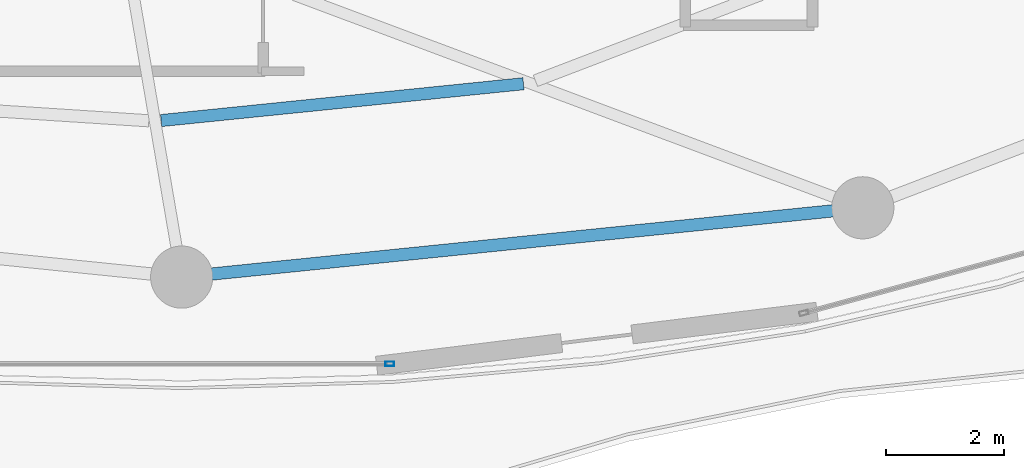
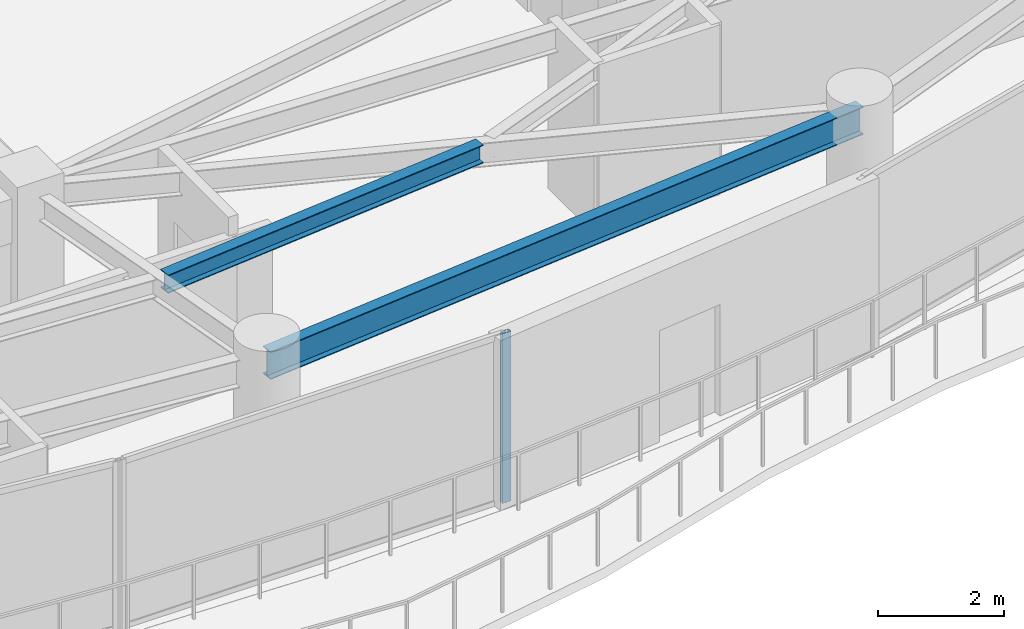
# One storey, part 10 of 31: 2 beams, 1 member, 1 element without a shape of its own.
"""IFC4 building model written with IfcOpenShell, lengths in metres."""

from ifc_helpers import new_model, si_unit, direction, frame, origin, origin_2d, place, context, subcontext, project, spatial, hollow_rectangle, i_section, extrude, material, layer, layer_set, material_profile, profile_set, type_object, element, aggregate, save


model = new_model("IFC4")

# Units and contexts
model_context = context("Model", 3, precision=1e-05, world=origin(), true_north=direction((0.0, 1.0)))
body_context = subcontext(model_context, "Body", "Model", "MODEL_VIEW")
ifc_project = project(units=[si_unit("LENGTHUNIT", "METRE"), si_unit("AREAUNIT", "SQUARE_METRE"), si_unit("VOLUMEUNIT", "CUBIC_METRE"), si_unit("PLANEANGLEUNIT", "RADIAN"), si_unit("MASSUNIT", "GRAM", prefix="KILO")], contexts=[model_context])

# Site, building, storey
site_placement = place(None, origin())
site = spatial("IfcSite", under=ifc_project, at=site_placement, CompositionType="ELEMENT")
building_placement = place(site_placement, origin())
building = spatial("IfcBuilding", under=site, at=building_placement, Name="Kazevale Care Tower and Concert Hall", CompositionType="ELEMENT")
storey_placement = place(building_placement, frame((0.0, 0.0, 187.199951171875)))
storey = spatial("IfcBuildingStorey", under=building, at=storey_placement, Name="L49", CompositionType="ELEMENT", Elevation=187.199951171875)

# Curtain wall, member
ifc_material_1 = material(Name="Aluminium 6063-T6 and Low-E Glass", Category="aluminium")
ifc_layer = layer(ifc_material_1, 0.179931640625)
ifc_layer_set = layer_set([ifc_layer], Name="Aluminium 6063-T6 and Low-E Glass")
curtain_wall_type = type_object("IfcCurtainWallType", Name="Sheltered Concave Balcony Curtain Wall CW-5", PredefinedType="NOTDEFINED", material=ifc_layer_set)
curtain_wall_placement = place(storey_placement, origin())
curtain_wall = element("IfcCurtainWall", 1, at=curtain_wall_placement, inside=storey, type_object=curtain_wall_type, Name="cw:L49:f06", PredefinedType="NOTDEFINED")
ifc_material_2 = material(Name="Aluminium 6063-T6", Category="aluminium")
ifc_material_profile_1 = material_profile(ifc_material_2, hollow_rectangle(XDim=0.074951171875, YDim=0.14990234375, WallThickness=0.00390625, at=origin_2d()), Name="ALU75x150x4")
ifc_profile_set_1 = profile_set([ifc_material_profile_1], Name="Aluminium 6063-T6")
member_type = type_object("IfcMemberType", Name="CW-5 Mullion ALU75x150x4", PredefinedType="MULLION", material=ifc_profile_set_1)
member_placement = place(storey_placement, frame((48.512451171875, 16.284912109375, 0.0), z_axis=(0.0, 0.0, 1.0), x_axis=(0.0, -1.0, 0.0)))
member = element("IfcMember", 2, at=member_placement, type_object=member_type, Name="CW-5 mullion 1", PredefinedType="MULLION", context=body_context, shape_type="SweptSolid", body=[
    extrude(hollow_rectangle(XDim=0.074951171875, YDim=0.14990234375, WallThickness=0.00390625, at=origin_2d()), origin(), (0.0, 0.0, 1.0), 3.280029296875),
])
aggregate(curtain_wall, [member])

# Beams
ifc_material_3 = material(Name="Steel ASTM A572 Gr 50", Category="steel")
ifc_material_profile_2 = material_profile(ifc_material_3, i_section(OverallWidth=0.205078125, OverallDepth=0.35400390625, WebThickness=0.009521484375, FlangeThickness=0.016845703125, at=origin_2d()), Name="W360x79")
ifc_profile_set_2 = profile_set([ifc_material_profile_2], Name="Steel ASTM A572 Gr 50")
beam_type_1 = type_object("IfcBeamType", Name="Secondary Floor Joist W360x79", PredefinedType="JOIST", material=ifc_profile_set_2)
beam_1_placement = place(storey_placement, frame((44.654052734375, 20.39306640625, 3.10302734375), z_axis=(0.994872697807, 0.10113513316, 0.0), x_axis=(-0.10113513316, 0.994872697807, 0.0)))
element("IfcBeam", 3, at=beam_1_placement, inside=storey, type_object=beam_type_1, Name="beam:L49:joist:13", PredefinedType="JOIST", context=body_context, shape_type="SweptSolid", body=[
    extrude(i_section(OverallWidth=0.205078125, OverallDepth=0.35400390625, WebThickness=0.009521484375, FlangeThickness=0.016845703125, at=origin_2d()), origin(), (0.0, 0.0, 1.0), 6.1484375),
])
ifc_material_profile_3 = material_profile(ifc_material_3, i_section(OverallWidth=0.208984375, OverallDepth=0.532958984375, WebThickness=0.01025390625, FlangeThickness=0.015625, at=origin_2d()), Name="W530x92")
ifc_profile_set_3 = profile_set([ifc_material_profile_3], Name="Steel ASTM A572 Gr 50")
beam_type_2 = type_object("IfcBeamType", Name="Upper Ring Beam W530x92", PredefinedType="BEAM", material=ifc_profile_set_3)
beam_2_placement = place(storey_placement, frame((45.0, 17.75, 3.013427734375), z_axis=(0.994865089307, 0.101209950492, 0.0), x_axis=(-0.101209950492, 0.994865089307, 0.0)))
element("IfcBeam", 4, at=beam_2_placement, inside=storey, type_object=beam_type_2, Name="beam:L49:ring:13", PredefinedType="BEAM", context=body_context, shape_type="SweptSolid", body=[
    extrude(i_section(OverallWidth=0.208984375, OverallDepth=0.532958984375, WebThickness=0.01025390625, FlangeThickness=0.015625, at=origin_2d()), origin(), (0.0, 0.0, 1.0), 11.559326171875),
])

save(model, "model.ifc")
